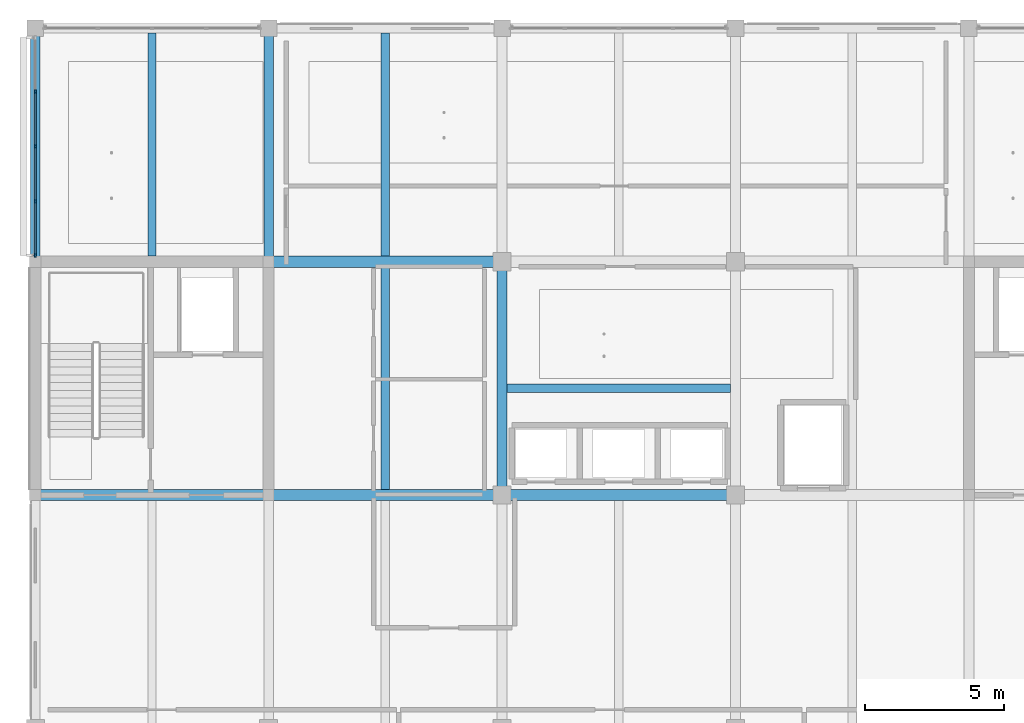
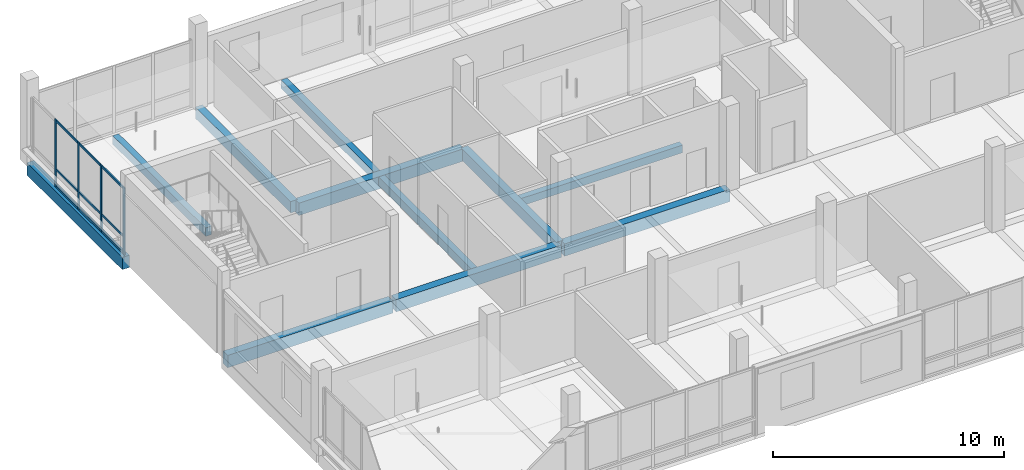
# One storey, part 4 of 29: 13 members, 11 beams, 1 element without a shape of its own.
"""IFC4 building model written with IfcOpenShell, lengths in metres."""

from ifc_helpers import new_model, si_unit, direction, frame, origin, origin_2d, place, context, subcontext, project, spatial, rectangle, extrude, material, layer, layer_set, material_profile, profile_set, type_object, element, aggregate, save


model = new_model("IFC4")

# Units and contexts
model_context = context("Model", 3, precision=1e-05, world=origin(), true_north=direction((0.0, 1.0)))
body_context = subcontext(model_context, "Body", "Model", "MODEL_VIEW")
ifc_project = project(units=[si_unit("LENGTHUNIT", "METRE"), si_unit("AREAUNIT", "SQUARE_METRE"), si_unit("VOLUMEUNIT", "CUBIC_METRE"), si_unit("PLANEANGLEUNIT", "RADIAN"), si_unit("MASSUNIT", "GRAM", prefix="KILO")], contexts=[model_context])

# Site, building, storey
site_placement = place(None, origin())
site = spatial("IfcSite", under=ifc_project, at=site_placement, CompositionType="ELEMENT")
building_placement = place(site_placement, origin())
building = spatial("IfcBuilding", under=site, at=building_placement, Name="Telukmera Botanical Conservatory", CompositionType="ELEMENT")
storey_placement = place(building_placement, frame((0.0, 0.0, 55.5)))
storey = spatial("IfcBuildingStorey", under=building, at=storey_placement, Name="L12", CompositionType="ELEMENT", Elevation=55.5)

# Beams
ifc_material_1 = material(Name="Concrete C40/50", Category="concrete")
ifc_material_profile_1 = material_profile(ifc_material_1, rectangle(XDim=0.300048828125, YDim=0.449951171875, at=origin_2d()), Name="RC 300x450")
ifc_profile_set_1 = profile_set([ifc_material_profile_1], Name="Concrete C40/50")
beam_type_1 = type_object("IfcBeamType", Name="Beam_B25", PredefinedType="JOIST", material=ifc_profile_set_1)
beam_1_placement = place(storey_placement, frame((63.0, 34.60009765625, -0.22509765625), z_axis=(0.0, 1.0, 0.0), x_axis=(-1.0, 0.0, 0.0)))
element("IfcBeam", 1, at=beam_1_placement, inside=storey, type_object=beam_type_1, Name="Tower Secondary Floor Joist L12", PredefinedType="JOIST", context=body_context, shape_type="SweptSolid", body=[
    extrude(rectangle(XDim=0.300048828125, YDim=0.449951171875, at=origin_2d()), origin(), (0.0, 0.0, 1.0), 8.02490234375),
])
beam_2_placement = place(storey_placement, frame((71.39990234375, 26.199951171875, -0.22509765625), z_axis=(0.0, 1.0, 0.0), x_axis=(-1.0, 0.0, 0.0)))
element("IfcBeam", 2, at=beam_2_placement, inside=storey, type_object=beam_type_1, Name="Tower Secondary Floor Joist L12", PredefinedType="JOIST", context=body_context, shape_type="SweptSolid", body=[
    extrude(rectangle(XDim=0.300048828125, YDim=0.449951171875, at=origin_2d()), origin(), (0.0, 0.0, 1.0), 8.0),
])
beam_3_placement = place(storey_placement, frame((71.39990234375, 34.60009765625, -0.22509765625), z_axis=(0.0, 1.0, 0.0), x_axis=(-1.0, 0.0, 0.0)))
element("IfcBeam", 3, at=beam_3_placement, inside=storey, type_object=beam_type_1, Name="Tower Secondary Floor Joist L12", PredefinedType="JOIST", context=body_context, shape_type="SweptSolid", body=[
    extrude(rectangle(XDim=0.300048828125, YDim=0.449951171875, at=origin_2d()), origin(), (0.0, 0.0, 1.0), 8.02490234375),
])
ifc_material_profile_2 = material_profile(ifc_material_1, rectangle(XDim=0.39990234375, YDim=0.64990234375, at=origin_2d()), Name="RC 400x650")
ifc_profile_set_2 = profile_set([ifc_material_profile_2], Name="Concrete C40/50")
beam_type_2 = type_object("IfcBeamType", Name="Beam_B8", PredefinedType="BEAM", material=ifc_profile_set_2)
beam_4_placement = place(storey_placement, frame((58.8798828125, 26.0, -0.324951171875), z_axis=(1.0, 0.0, 0.0), x_axis=(0.0, 1.0, 0.0)))
element("IfcBeam", 4, at=beam_4_placement, inside=storey, type_object=beam_type_2, Name="Tower Grid Beam L12", PredefinedType="BEAM", context=body_context, shape_type="SweptSolid", body=[
    extrude(rectangle(XDim=0.39990234375, YDim=0.64990234375, at=origin_2d()), origin(), (0.0, 0.0, 1.0), 8.240234375),
])
for number, where, z_axis, x_axis, name in (
    (5, (67.280029296875, 26.0, -0.324951171875), (1.0, 0.0, 0.0), (0.0, 1.0, 0.0), "Tower Grid Beam L12"),
    (6, (75.679931640625, 26.0, -0.324951171875), (1.0, 0.0, 0.0), (0.0, 1.0, 0.0), "Tower Grid Beam L12"),
    (7, (67.280029296875, 34.39990234375, -0.324951171875), (1.0, 0.0, 0.0), (0.0, 1.0, 0.0), "Tower Grid Beam L12"),
):
    element("IfcBeam", number, at=place(storey_placement, frame(where, z_axis=z_axis, x_axis=x_axis)), inside=storey, type_object=beam_type_2, Name=name, PredefinedType="BEAM", context=body_context, shape_type="SweptSolid", body=[
        extrude(rectangle(XDim=0.39990234375, YDim=0.64990234375, at=origin_2d()), origin(), (0.0, 0.0, 1.0), 8.239990234375),
    ])
ifc_material_profile_3 = material_profile(ifc_material_1, rectangle(XDim=0.35009765625, YDim=0.60009765625, at=origin_2d()), Name="RC 350x600")
ifc_profile_set_3 = profile_set([ifc_material_profile_3], Name="Concrete C40/50")
beam_type_3 = type_object("IfcBeamType", Name="Beam_B9", PredefinedType="BEAM", material=ifc_profile_set_3)
for number, where, z_axis, x_axis, name in (
    (8, (67.199951171875, 34.47998046875, -0.300048828125), (0.0, 1.0, 0.0), (-1.0, 0.0, 0.0), "Tower Transverse Beam L12"),
    (9, (75.60009765625, 26.080078125, -0.300048828125), (0.0, 1.0, 0.0), (-1.0, 0.0, 0.0), "Tower Transverse Beam L12"),
):
    element("IfcBeam", number, at=place(storey_placement, frame(where, z_axis=z_axis, x_axis=x_axis)), inside=storey, type_object=beam_type_3, Name=name, PredefinedType="BEAM", context=body_context, shape_type="SweptSolid", body=[
        extrude(rectangle(XDim=0.35009765625, YDim=0.60009765625, at=origin_2d()), origin(), (0.0, 0.0, 1.0), 8.239990234375),
    ])
ifc_material_2 = material(Name="Precast concrete C40/50", Category="concrete")
ifc_material_profile_4 = material_profile(ifc_material_2, rectangle(XDim=0.300048828125, YDim=0.39990234375, at=origin_2d()), Name="PC 300x400")
ifc_profile_set_4 = profile_set([ifc_material_profile_4], Name="Precast concrete C40/50")
beam_type_4 = type_object("IfcBeamType", Name="Beam_LN1", PredefinedType="LINTEL", material=ifc_profile_set_4)
beam_5_placement = place(storey_placement, frame((75.77490234375, 29.85009765625, -0.199951171875), z_axis=(1.0, 0.0, 0.0), x_axis=(0.0, 1.0, 0.0)))
element("IfcBeam", 10, at=beam_5_placement, inside=storey, type_object=beam_type_4, Name="Tower Lift Bank Header Lintel L12", PredefinedType="LINTEL", context=body_context, shape_type="SweptSolid", body=[
    extrude(rectangle(XDim=0.300048828125, YDim=0.39990234375, at=origin_2d()), origin(), (0.0, 0.0, 1.0), 8.050048828125),
])
ifc_material_profile_5 = material_profile(ifc_material_2, rectangle(XDim=0.35009765625, YDim=0.64990234375, at=origin_2d()), Name="PC 350x650")
ifc_profile_set_5 = profile_set([ifc_material_profile_5], Name="Precast concrete C40/50")
beam_type_5 = type_object("IfcBeamType", Name="Beam_SP3", PredefinedType="SPANDREL", material=ifc_profile_set_5)
beam_6_placement = place(storey_placement, frame((58.800048828125, 34.47998046875, -0.324951171875), z_axis=(0.0, 1.0, 0.0), x_axis=(-1.0, 0.0, 0.0)))
element("IfcBeam", 11, at=beam_6_placement, inside=storey, type_object=beam_type_5, Name="Tower Transverse Beam L12", PredefinedType="SPANDREL", context=body_context, shape_type="SweptSolid", body=[
    extrude(rectangle(XDim=0.35009765625, YDim=0.64990234375, at=origin_2d()), origin(), (0.0, 0.0, 1.0), 8.239990234375),
])

# Curtain wall, members
ifc_material_3 = material(Name="Anodised aluminium 6063-T6", Category="aluminium")
ifc_layer = layer(ifc_material_3, 0.179931640625)
ifc_layer_set = layer_set([ifc_layer], Name="Anodised aluminium 6063-T6")
curtain_wall_type = type_object("IfcCurtainWallType", Name="Tower Research Laboratory Unitised Curtain Wall", PredefinedType="USERDEFINED", material=ifc_layer_set)
curtain_wall_placement = place(storey_placement, origin())
curtain_wall = element("IfcCurtainWall", 12, at=curtain_wall_placement, inside=storey, type_object=curtain_wall_type, Name="Unitised Curtain Wall CW15 V4:L12:W4", ObjectType="UNITISED CURTAIN WALL", PredefinedType="USERDEFINED")
ifc_material_profile_6 = material_profile(ifc_material_3, rectangle(XDim=0.06005859375, YDim=0.139892578125, at=origin_2d()), Name="ALU MULL 60x140")
ifc_profile_set_6 = profile_set([ifc_material_profile_6], Name="Anodised aluminium 6063-T6")
member_type_1 = type_object("IfcMemberType", Name="Curtain Wall Extruded Mullion 60x140", PredefinedType="MULLION", material=ifc_profile_set_6)
member_1_placement = place(storey_placement, frame((58.800048828125, 34.632080078125, 0.0), z_axis=(0.0, 0.0, 1.0), x_axis=(-1.0, 0.0, 0.0)))
member_1 = element("IfcMember", 13, at=member_1_placement, type_object=member_type_1, Name="CW15 mullion 1", PredefinedType="MULLION", context=body_context, shape_type="SweptSolid", body=[
    extrude(rectangle(XDim=0.06005859375, YDim=0.139892578125, at=origin_2d()), origin(), (0.0, 0.0, 1.0), 3.550048828125),
])
member_2_placement = place(storey_placement, frame((58.800048828125, 36.575927734375, 0.0), z_axis=(0.0, 0.0, 1.0), x_axis=(-1.0, 0.0, 0.0)))
member_2 = element("IfcMember", 14, at=member_2_placement, type_object=member_type_1, Name="CW15 mullion 2", PredefinedType="MULLION", context=body_context, shape_type="SweptSolid", body=[
    extrude(rectangle(XDim=0.06005859375, YDim=0.139892578125, at=origin_2d()), origin(), (0.0, 0.0, 1.0), 3.550048828125),
])
member_3_placement = place(storey_placement, frame((58.800048828125, 38.550048828125, 0.0), z_axis=(0.0, 0.0, 1.0), x_axis=(-1.0, 0.0, 0.0)))
member_3 = element("IfcMember", 15, at=member_3_placement, type_object=member_type_1, Name="CW15 mullion 3", PredefinedType="MULLION", context=body_context, shape_type="SweptSolid", body=[
    extrude(rectangle(XDim=0.06005859375, YDim=0.139892578125, at=origin_2d()), origin(), (0.0, 0.0, 1.0), 3.550048828125),
])
member_4_placement = place(storey_placement, frame((58.800048828125, 40.52392578125, 0.0), z_axis=(0.0, 0.0, 1.0), x_axis=(-1.0, 0.0, 0.0)))
member_4 = element("IfcMember", 16, at=member_4_placement, type_object=member_type_1, Name="CW15 mullion 4", PredefinedType="MULLION", context=body_context, shape_type="SweptSolid", body=[
    extrude(rectangle(XDim=0.06005859375, YDim=0.139892578125, at=origin_2d()), origin(), (0.0, 0.0, 1.0), 3.550048828125),
])
ifc_material_profile_7 = material_profile(ifc_material_3, rectangle(XDim=0.06005859375, YDim=0.110107421875, at=origin_2d()), Name="ALU TRAN 60x110")
ifc_profile_set_7 = profile_set([ifc_material_profile_7], Name="Anodised aluminium 6063-T6")
member_type_2 = type_object("IfcMemberType", Name="Curtain Wall Extruded Transom 60x110", PredefinedType="USERDEFINED", material=ifc_profile_set_7)
member_5_placement = place(storey_placement, frame((58.800048828125, 34.662109375, 0.054931640625), z_axis=(0.0, 1.0, 0.0), x_axis=(-1.0, 0.0, 0.0)))
member_5 = element("IfcMember", 17, at=member_5_placement, type_object=member_type_2, Name="CW15 transom 1.1", ObjectType="TRANSOM", PredefinedType="USERDEFINED", context=body_context, shape_type="SweptSolid", body=[
    extrude(rectangle(XDim=0.06005859375, YDim=0.110107421875, at=origin_2d()), origin(), (0.0, 0.0, 1.0), 1.8837890625),
])
member_6_placement = place(storey_placement, frame((58.800048828125, 34.662109375, 0.949951171875), z_axis=(0.0, 1.0, 0.0), x_axis=(-1.0, 0.0, 0.0)))
member_6 = element("IfcMember", 18, at=member_6_placement, type_object=member_type_2, Name="CW15 transom 1.2", ObjectType="TRANSOM", PredefinedType="USERDEFINED", context=body_context, shape_type="SweptSolid", body=[
    extrude(rectangle(XDim=0.06005859375, YDim=0.110107421875, at=origin_2d()), origin(), (0.0, 0.0, 1.0), 1.8837890625),
])
member_7_placement = place(storey_placement, frame((58.800048828125, 34.662109375, 3.4951171875), z_axis=(0.0, 1.0, 0.0), x_axis=(-1.0, 0.0, 0.0)))
member_7 = element("IfcMember", 19, at=member_7_placement, type_object=member_type_2, Name="CW15 transom 1.3", ObjectType="TRANSOM", PredefinedType="USERDEFINED", context=body_context, shape_type="SweptSolid", body=[
    extrude(rectangle(XDim=0.06005859375, YDim=0.110107421875, at=origin_2d()), origin(), (0.0, 0.0, 1.0), 1.8837890625),
])
member_8_placement = place(storey_placement, frame((58.800048828125, 36.60595703125, 0.054931640625), z_axis=(0.0, 1.0, 0.0), x_axis=(-1.0, 0.0, 0.0)))
member_8 = element("IfcMember", 20, at=member_8_placement, type_object=member_type_2, Name="CW15 transom 2.1", ObjectType="TRANSOM", PredefinedType="USERDEFINED", context=body_context, shape_type="SweptSolid", body=[
    extrude(rectangle(XDim=0.06005859375, YDim=0.110107421875, at=origin_2d()), origin(), (0.0, 0.0, 1.0), 1.9140625),
])
member_9_placement = place(storey_placement, frame((58.800048828125, 36.60595703125, 0.949951171875), z_axis=(0.0, 1.0, 0.0), x_axis=(-1.0, 0.0, 0.0)))
member_9 = element("IfcMember", 21, at=member_9_placement, type_object=member_type_2, Name="CW15 transom 2.2", ObjectType="TRANSOM", PredefinedType="USERDEFINED", context=body_context, shape_type="SweptSolid", body=[
    extrude(rectangle(XDim=0.06005859375, YDim=0.110107421875, at=origin_2d()), origin(), (0.0, 0.0, 1.0), 1.9140625),
])
member_10_placement = place(storey_placement, frame((58.800048828125, 36.60595703125, 3.4951171875), z_axis=(0.0, 1.0, 0.0), x_axis=(-1.0, 0.0, 0.0)))
member_10 = element("IfcMember", 22, at=member_10_placement, type_object=member_type_2, Name="CW15 transom 2.3", ObjectType="TRANSOM", PredefinedType="USERDEFINED", context=body_context, shape_type="SweptSolid", body=[
    extrude(rectangle(XDim=0.06005859375, YDim=0.110107421875, at=origin_2d()), origin(), (0.0, 0.0, 1.0), 1.9140625),
])
member_11_placement = place(storey_placement, frame((58.800048828125, 38.580078125, 0.054931640625), z_axis=(0.0, 1.0, 0.0), x_axis=(-1.0, 0.0, 0.0)))
member_11 = element("IfcMember", 23, at=member_11_placement, type_object=member_type_2, Name="CW15 transom 3.1", ObjectType="TRANSOM", PredefinedType="USERDEFINED", context=body_context, shape_type="SweptSolid", body=[
    extrude(rectangle(XDim=0.06005859375, YDim=0.110107421875, at=origin_2d()), origin(), (0.0, 0.0, 1.0), 1.913818359375),
])
member_12_placement = place(storey_placement, frame((58.800048828125, 38.580078125, 0.949951171875), z_axis=(0.0, 1.0, 0.0), x_axis=(-1.0, 0.0, 0.0)))
member_12 = element("IfcMember", 24, at=member_12_placement, type_object=member_type_2, Name="CW15 transom 3.2", ObjectType="TRANSOM", PredefinedType="USERDEFINED", context=body_context, shape_type="SweptSolid", body=[
    extrude(rectangle(XDim=0.06005859375, YDim=0.110107421875, at=origin_2d()), origin(), (0.0, 0.0, 1.0), 1.913818359375),
])
member_13_placement = place(storey_placement, frame((58.800048828125, 38.580078125, 3.4951171875), z_axis=(0.0, 1.0, 0.0), x_axis=(-1.0, 0.0, 0.0)))
member_13 = element("IfcMember", 25, at=member_13_placement, type_object=member_type_2, Name="CW15 transom 3.3", ObjectType="TRANSOM", PredefinedType="USERDEFINED", context=body_context, shape_type="SweptSolid", body=[
    extrude(rectangle(XDim=0.06005859375, YDim=0.110107421875, at=origin_2d()), origin(), (0.0, 0.0, 1.0), 1.913818359375),
])
aggregate(curtain_wall, [member_1, member_2, member_3, member_4, member_5, member_6, member_7, member_8, member_9, member_10, member_11, member_12, member_13])

save(model, "model.ifc")
